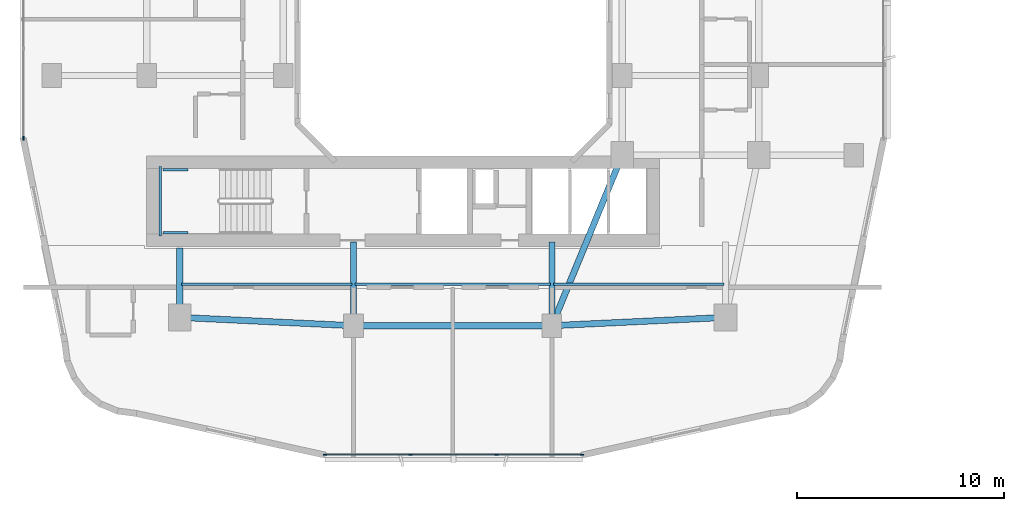
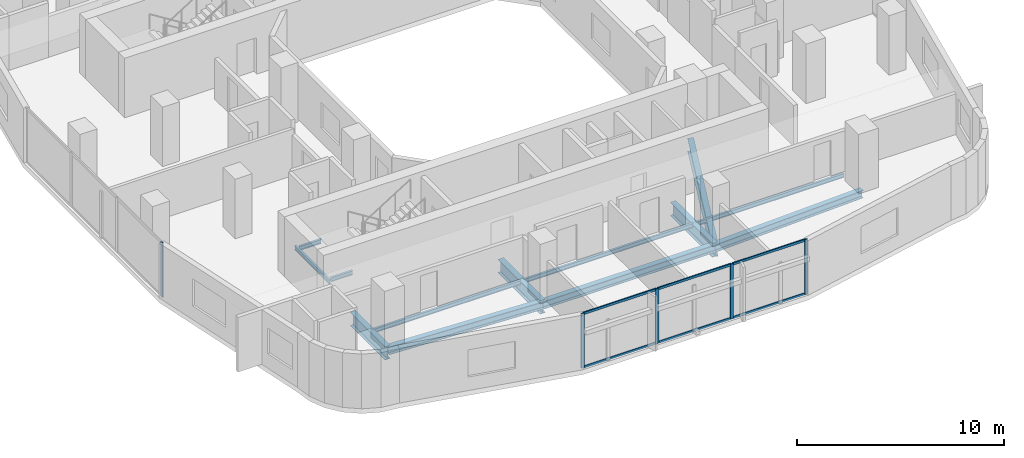
# One storey, part 2 of 26: 13 beams, 11 members, 2 elements without a shape of their own.
"""IFC4 building model written with IfcOpenShell, lengths in metres."""

from ifc_helpers import new_model, si_unit, derived_unit, direction, frame, origin, origin_2d, place, context, subcontext, project, spatial, rectangle, i_section, extrude, material, layer, layer_set, material_profile, profile_set, type_object, element, aggregate, save


model = new_model("IFC4")

# Units and contexts
model_context = context("Model", 3, precision=1e-05, world=origin(), true_north=direction((0.0, 1.0)))
body_context = subcontext(model_context, "Body", "Model", "MODEL_VIEW")
ifc_project = project(units=[si_unit("LENGTHUNIT", "METRE"), si_unit("AREAUNIT", "SQUARE_METRE"), si_unit("VOLUMEUNIT", "CUBIC_METRE"), si_unit("PLANEANGLEUNIT", "RADIAN"), si_unit("MASSUNIT", "GRAM", prefix="KILO"), derived_unit("THERMALTRANSMITTANCEUNIT", [(si_unit("POWERUNIT", "WATT"), 1), (si_unit("LENGTHUNIT", "METRE"), -2), (si_unit("THERMODYNAMICTEMPERATUREUNIT", "KELVIN"), -1)])], contexts=[model_context])

# Site, building, storey
site_placement = place(None, origin())
site = spatial("IfcSite", under=ifc_project, at=site_placement, CompositionType="ELEMENT")
building_placement = place(site_placement, origin())
building = spatial("IfcBuilding", under=site, at=building_placement, Name="Kivonza Crest Hotel", CompositionType="ELEMENT")
storey_placement = place(building_placement, frame((0.0, 0.0, 52.0)))
storey = spatial("IfcBuildingStorey", under=building, at=storey_placement, Name="L13", CompositionType="ELEMENT", Elevation=52.0)

# Beams
ifc_material_1 = material(Name="Steel S355", Category="steel")
ifc_material_profile_1 = material_profile(ifc_material_1, i_section(OverallWidth=0.300048828125, OverallDepth=0.449951171875, WebThickness=0.013916015625, FlangeThickness=0.02587890625, FilletRadius=0.027099609375, at=origin_2d()), Name="HEB 450")
ifc_profile_set_1 = profile_set([ifc_material_profile_1], Name="Steel S355")
beam_type_1 = type_object("IfcBeamType", Name="BM-HEB450", PredefinedType="SPANDREL", material=ifc_profile_set_1)
beam_1_placement = place(storey_placement, frame((16.199951171875, 9.39990234375, -0.5048828125), z_axis=(1.0, 0.0, 0.0), x_axis=(0.0, 1.0, 0.0)))
element("IfcBeam", 1, at=beam_1_placement, inside=storey, type_object=beam_type_1, Name="Tower T1 L13 perimeter spandrel S1-S2", PredefinedType="SPANDREL", context=body_context, shape_type="SweptSolid", body=[
    extrude(i_section(OverallWidth=0.300048828125, OverallDepth=0.449951171875, WebThickness=0.013916015625, FlangeThickness=0.02587890625, FilletRadius=0.027099609375, at=origin_2d()), origin(), (0.0, 0.0, 1.0), 9.60009765625),
])
for number, where, z_axis, x_axis, name in (
    (2, (25.800048828125, 9.39990234375, -0.5048828125), (0.998867283688, 0.047583080799, 0.0), (-0.047583080799, 0.998867283688, 0.0), "Tower T1 L13 perimeter spandrel S2-SE"),
    (3, (7.800048828125, 9.800048828125, -0.5048828125), (0.998867283688, -0.047583080799, 0.0), (0.047583080799, 0.998867283688, 0.0), "Tower T1 L13 perimeter spandrel SW-S1"),
):
    element("IfcBeam", number, at=place(storey_placement, frame(where, z_axis=z_axis, x_axis=x_axis)), inside=storey, type_object=beam_type_1, Name=name, PredefinedType="SPANDREL", context=body_context, shape_type="SweptSolid", body=[
        extrude(i_section(OverallWidth=0.300048828125, OverallDepth=0.449951171875, WebThickness=0.013916015625, FlangeThickness=0.02587890625, FilletRadius=0.027099609375, at=origin_2d()), origin(), (0.0, 0.0, 1.0), 8.409423828125),
    ])
ifc_material_profile_2 = material_profile(ifc_material_1, i_section(OverallWidth=0.300048828125, OverallDepth=0.800048828125, WebThickness=0.017578125, FlangeThickness=0.032958984375, FilletRadius=0.030029296875, at=origin_2d()), Name="HEB 800")
ifc_profile_set_2 = profile_set([ifc_material_profile_2], Name="Steel S355")
beam_type_2 = type_object("IfcBeamType", Name="BM-HEB800", PredefinedType="BEAM", material=ifc_profile_set_2)
beam_2_placement = place(storey_placement, frame((25.800048828125, 9.39990234375, -0.679931640625), z_axis=(0.381022260404, 0.924565864109, 0.0), x_axis=(-0.924565864109, 0.381022260404, 0.0)))
element("IfcBeam", 4, at=beam_2_placement, inside=storey, type_object=beam_type_2, Name="Tower T1 L13 primary girder S1-TSE", PredefinedType="BEAM", context=body_context, shape_type="SweptSolid", body=[
    extrude(i_section(OverallWidth=0.300048828125, OverallDepth=0.800048828125, WebThickness=0.017578125, FlangeThickness=0.032958984375, FilletRadius=0.030029296875, at=origin_2d()), origin(), (0.0, 0.0, 1.0), 8.923095703125),
])
beam_3_placement = place(storey_placement, frame((7.800048828125, 9.800048828125, -0.679931640625), z_axis=(0.0, 1.0, 0.0), x_axis=(-1.0, 0.0, 0.0)))
element("IfcBeam", 5, at=beam_3_placement, inside=storey, type_object=beam_type_2, Name="Tower T1 L13 radial core girder RSW", PredefinedType="BEAM", context=body_context, shape_type="SweptSolid", body=[
    extrude(i_section(OverallWidth=0.300048828125, OverallDepth=0.800048828125, WebThickness=0.017578125, FlangeThickness=0.032958984375, FilletRadius=0.030029296875, at=origin_2d()), origin(), (0.0, 0.0, 1.0), 3.349853515625),
])
for number, where, z_axis, x_axis, name in (
    (6, (16.199951171875, 9.39990234375, -0.679931640625), (0.0, 1.0, 0.0), (-1.0, 0.0, 0.0), "Tower T1 L13 radial core girder RS1"),
    (7, (25.800048828125, 9.39990234375, -0.679931640625), (0.0, 1.0, 0.0), (-1.0, 0.0, 0.0), "Tower T1 L13 radial core girder RS2"),
):
    element("IfcBeam", number, at=place(storey_placement, frame(where, z_axis=z_axis, x_axis=x_axis)), inside=storey, type_object=beam_type_2, Name=name, PredefinedType="BEAM", context=body_context, shape_type="SweptSolid", body=[
        extrude(i_section(OverallWidth=0.300048828125, OverallDepth=0.800048828125, WebThickness=0.017578125, FlangeThickness=0.032958984375, FilletRadius=0.030029296875, at=origin_2d()), origin(), (0.0, 0.0, 1.0), 4.050048828125),
    ])
ifc_material_profile_3 = material_profile(ifc_material_1, i_section(OverallWidth=0.1201171875, OverallDepth=0.239990234375, WebThickness=0.006103515625, FlangeThickness=0.009765625, FilletRadius=0.014892578125, at=origin_2d()), Name="IPE 240")
ifc_profile_set_3 = profile_set([ifc_material_profile_3], Name="Steel S355")
beam_type_3 = type_object("IfcBeamType", Name="BM-IPE240", PredefinedType="JOIST", material=ifc_profile_set_3)
beam_4_placement = place(storey_placement, frame((7.8798828125, 11.39990234375, -0.39990234375), z_axis=(1.0, 0.0, 0.0), x_axis=(0.0, 1.0, 0.0)))
element("IfcBeam", 8, at=beam_4_placement, inside=storey, type_object=beam_type_3, Name="Tower T1 L13 South-West floor joist", PredefinedType="JOIST", context=body_context, shape_type="SweptSolid", body=[
    extrude(i_section(OverallWidth=0.1201171875, OverallDepth=0.239990234375, WebThickness=0.006103515625, FlangeThickness=0.009765625, FilletRadius=0.014892578125, at=origin_2d()), origin(), (0.0, 0.0, 1.0), 8.240234375),
])
beam_5_placement = place(storey_placement, frame((16.280029296875, 11.39990234375, -0.39990234375), z_axis=(1.0, 0.0, 0.0), x_axis=(0.0, 1.0, 0.0)))
element("IfcBeam", 9, at=beam_5_placement, inside=storey, type_object=beam_type_3, Name="Tower T1 L13 South-Mid floor joist", PredefinedType="JOIST", context=body_context, shape_type="SweptSolid", body=[
    extrude(i_section(OverallWidth=0.1201171875, OverallDepth=0.239990234375, WebThickness=0.006103515625, FlangeThickness=0.009765625, FilletRadius=0.014892578125, at=origin_2d()), origin(), (0.0, 0.0, 1.0), 9.43994140625),
])
beam_6_placement = place(storey_placement, frame((25.8798828125, 11.39990234375, -0.39990234375), z_axis=(1.0, 0.0, 0.0), x_axis=(0.0, 1.0, 0.0)))
element("IfcBeam", 10, at=beam_6_placement, inside=storey, type_object=beam_type_3, Name="Tower T1 L13 South-East floor joist", PredefinedType="JOIST", context=body_context, shape_type="SweptSolid", body=[
    extrude(i_section(OverallWidth=0.1201171875, OverallDepth=0.239990234375, WebThickness=0.006103515625, FlangeThickness=0.009765625, FilletRadius=0.014892578125, at=origin_2d()), origin(), (0.0, 0.0, 1.0), 8.240234375),
])
ifc_material_profile_4 = material_profile(ifc_material_1, i_section(OverallWidth=0.1201171875, OverallDepth=0.239990234375, WebThickness=0.006103515625, FlangeThickness=0.009765625, FilletRadius=0.014892578125, at=origin_2d()), Name="IPE 240")
ifc_profile_set_4 = profile_set([ifc_material_profile_4], Name="Steel S355")
beam_type_4 = type_object("IfcBeamType", Name="BM-LLDG-240", PredefinedType="BEAM", material=ifc_profile_set_4)
beam_7_placement = place(storey_placement, frame((6.860107421875, 13.739990234375, 1.429931640625), z_axis=(0.0, 1.0, 0.0), x_axis=(-1.0, 0.0, 0.0)))
element("IfcBeam", 11, at=beam_7_placement, inside=storey, type_object=beam_type_4, Name="Stair ST-T1-S L13 West landing corbel", PredefinedType="BEAM", context=body_context, shape_type="SweptSolid", body=[
    extrude(i_section(OverallWidth=0.1201171875, OverallDepth=0.239990234375, WebThickness=0.006103515625, FlangeThickness=0.009765625, FilletRadius=0.014892578125, at=origin_2d()), origin(), (0.0, 0.0, 1.0), 3.360107421875),
])
for number, where, z_axis, x_axis, name in (
    (12, (6.989990234375, 13.89990234375, 1.429931640625), (1.0, 0.0, 0.0), (0.0, 1.0, 0.0), "Stair ST-T1-S L13 South landing corbel"),
    (13, (6.989990234375, 16.93994140625, 1.429931640625), (1.0, 0.0, 0.0), (0.0, 1.0, 0.0), "Stair ST-T1-S L13 North landing corbel"),
):
    element("IfcBeam", number, at=place(storey_placement, frame(where, z_axis=z_axis, x_axis=x_axis)), inside=storey, type_object=beam_type_4, Name=name, PredefinedType="BEAM", context=body_context, shape_type="SweptSolid", body=[
        extrude(i_section(OverallWidth=0.1201171875, OverallDepth=0.239990234375, WebThickness=0.006103515625, FlangeThickness=0.009765625, FilletRadius=0.014892578125, at=origin_2d()), origin(), (0.0, 0.0, 1.0), 1.2099609375),
    ])

# Curtain wall, members
ifc_material_2 = material(Name="Anodised bronze aluminium and low-E double glazing", Category="aluminium")
ifc_layer = layer(ifc_material_2, 0.179931640625)
ifc_layer_set = layer_set([ifc_layer], Name="Anodised bronze aluminium and low-E double glazing")
curtain_wall_type = type_object("IfcCurtainWallType", Name="CW-SYS-2", PredefinedType="NOTDEFINED", material=ifc_layer_set)
curtain_wall_1_placement = place(storey_placement, origin())
curtain_wall_1 = element("IfcCurtainWall", 14, at=curtain_wall_1_placement, inside=storey, type_object=curtain_wall_type, Name="L13 unitised curtain wall CW-T1-L13-08", PredefinedType="NOTDEFINED")
ifc_material_3 = material(Name="Anodised bronze aluminium", Category="aluminium")
ifc_material_profile_5 = material_profile(ifc_material_3, rectangle(XDim=0.06494140625, YDim=0.179931640625, at=origin_2d()), Name="CW-M 65x180")
ifc_profile_set_5 = profile_set([ifc_material_profile_5], Name="Anodised bronze aluminium")
member_type_1 = type_object("IfcMemberType", Name="CW-MUL-65x180", PredefinedType="MULLION", material=ifc_profile_set_5)
member_1_placement = place(storey_placement, frame((14.824462890625, 3.159912109375, 0.0), z_axis=(0.0, 0.0, 1.0), x_axis=(0.0, 1.0, 0.0)))
member_1 = element("IfcMember", 15, at=member_1_placement, type_object=member_type_1, Name="CW-2 mullion 1", PredefinedType="MULLION", context=body_context, shape_type="SweptSolid", body=[
    extrude(rectangle(XDim=0.06494140625, YDim=0.179931640625, at=origin_2d()), origin(), (0.0, 0.0, 1.0), 3.219970703125),
])
member_2_placement = place(storey_placement, frame((18.957275390625, 3.159912109375, 0.0), z_axis=(0.0, 0.0, 1.0), x_axis=(0.0, 1.0, 0.0)))
member_2 = element("IfcMember", 16, at=member_2_placement, type_object=member_type_1, Name="CW-2 mullion 2", PredefinedType="MULLION", context=body_context, shape_type="SweptSolid", body=[
    extrude(rectangle(XDim=0.06494140625, YDim=0.179931640625, at=origin_2d()), origin(), (0.0, 0.0, 1.0), 3.219970703125),
])
member_3_placement = place(storey_placement, frame((23.12255859375, 3.159912109375, 0.0), z_axis=(0.0, 0.0, 1.0), x_axis=(0.0, 1.0, 0.0)))
member_3 = element("IfcMember", 17, at=member_3_placement, type_object=member_type_1, Name="CW-2 mullion 3", PredefinedType="MULLION", context=body_context, shape_type="SweptSolid", body=[
    extrude(rectangle(XDim=0.06494140625, YDim=0.179931640625, at=origin_2d()), origin(), (0.0, 0.0, 1.0), 3.219970703125),
])
member_4_placement = place(storey_placement, frame((27.255615234375, 3.159912109375, 0.0), z_axis=(0.0, 0.0, 1.0), x_axis=(0.0, 1.0, 0.0)))
member_4 = element("IfcMember", 18, at=member_4_placement, type_object=member_type_1, Name="CW-2 mullion 4", PredefinedType="MULLION", context=body_context, shape_type="SweptSolid", body=[
    extrude(rectangle(XDim=0.06494140625, YDim=0.179931640625, at=origin_2d()), origin(), (0.0, 0.0, 1.0), 3.219970703125),
])

# Curtain wall, member
curtain_wall_2_placement = place(storey_placement, origin())
curtain_wall_2 = element("IfcCurtainWall", 19, at=curtain_wall_2_placement, inside=storey, type_object=curtain_wall_type, Name="L13 unitised curtain wall CW-T1-L13-35", PredefinedType="NOTDEFINED")
member_5_placement = place(storey_placement, frame((0.239990234375, 18.472412109375, 0.0), z_axis=(0.0, 0.0, 1.0), x_axis=(1.0, 0.0, 0.0)))
member_5 = element("IfcMember", 20, at=member_5_placement, type_object=member_type_1, Name="CW-2 mullion 4", PredefinedType="MULLION", context=body_context, shape_type="SweptSolid", body=[
    extrude(rectangle(XDim=0.06494140625, YDim=0.179931640625, at=origin_2d()), origin(), (0.0, 0.0, 1.0), 3.219970703125),
])
aggregate(curtain_wall_2, [member_5])

# Member
ifc_material_profile_6 = material_profile(ifc_material_3, rectangle(XDim=0.06494140625, YDim=0.139892578125, at=origin_2d()), Name="CW-T 65x140")
ifc_profile_set_6 = profile_set([ifc_material_profile_6], Name="Anodised bronze aluminium")
member_type_2 = type_object("IfcMemberType", Name="CW-TRN-65x140", PredefinedType="USERDEFINED", material=ifc_profile_set_6)
member_6_placement = place(storey_placement, frame((14.85693359375, 3.159912109375, 0.032470703125), z_axis=(1.0, 0.0, 0.0), x_axis=(0.0, 1.0, 0.0)))
member_6 = element("IfcMember", 21, at=member_6_placement, type_object=member_type_2, Name="CW-2 transom 1.1", ObjectType="TRANSOM", PredefinedType="USERDEFINED", context=body_context, shape_type="SweptSolid", body=[
    extrude(rectangle(XDim=0.06494140625, YDim=0.139892578125, at=origin_2d()), origin(), (0.0, 0.0, 1.0), 4.06787109375),
])

member_7_placement = place(storey_placement, frame((14.85693359375, 3.159912109375, 3.1875), z_axis=(1.0, 0.0, 0.0), x_axis=(0.0, 1.0, 0.0)))
member_7 = element("IfcMember", 22, at=member_7_placement, type_object=member_type_2, Name="CW-2 transom 1.2", ObjectType="TRANSOM", PredefinedType="USERDEFINED", context=body_context, shape_type="SweptSolid", body=[
    extrude(rectangle(XDim=0.06494140625, YDim=0.139892578125, at=origin_2d()), origin(), (0.0, 0.0, 1.0), 4.06787109375),
])

member_8_placement = place(storey_placement, frame((18.98974609375, 3.159912109375, 0.032470703125), z_axis=(1.0, 0.0, 0.0), x_axis=(0.0, 1.0, 0.0)))
member_8 = element("IfcMember", 23, at=member_8_placement, type_object=member_type_2, Name="CW-2 transom 2.1", ObjectType="TRANSOM", PredefinedType="USERDEFINED", context=body_context, shape_type="SweptSolid", body=[
    extrude(rectangle(XDim=0.06494140625, YDim=0.139892578125, at=origin_2d()), origin(), (0.0, 0.0, 1.0), 4.100341796875),
])

member_9_placement = place(storey_placement, frame((18.98974609375, 3.159912109375, 3.1875), z_axis=(1.0, 0.0, 0.0), x_axis=(0.0, 1.0, 0.0)))
member_9 = element("IfcMember", 24, at=member_9_placement, type_object=member_type_2, Name="CW-2 transom 2.2", ObjectType="TRANSOM", PredefinedType="USERDEFINED", context=body_context, shape_type="SweptSolid", body=[
    extrude(rectangle(XDim=0.06494140625, YDim=0.139892578125, at=origin_2d()), origin(), (0.0, 0.0, 1.0), 4.100341796875),
])

member_10_placement = place(storey_placement, frame((23.1552734375, 3.159912109375, 0.032470703125), z_axis=(1.0, 0.0, 0.0), x_axis=(0.0, 1.0, 0.0)))
member_10 = element("IfcMember", 25, at=member_10_placement, type_object=member_type_2, Name="CW-2 transom 3.1", ObjectType="TRANSOM", PredefinedType="USERDEFINED", context=body_context, shape_type="SweptSolid", body=[
    extrude(rectangle(XDim=0.06494140625, YDim=0.139892578125, at=origin_2d()), origin(), (0.0, 0.0, 1.0), 4.067626953125),
])

member_11_placement = place(storey_placement, frame((23.1552734375, 3.159912109375, 3.1875), z_axis=(1.0, 0.0, 0.0), x_axis=(0.0, 1.0, 0.0)))
member_11 = element("IfcMember", 26, at=member_11_placement, type_object=member_type_2, Name="CW-2 transom 3.2", ObjectType="TRANSOM", PredefinedType="USERDEFINED", context=body_context, shape_type="SweptSolid", body=[
    extrude(rectangle(XDim=0.06494140625, YDim=0.139892578125, at=origin_2d()), origin(), (0.0, 0.0, 1.0), 4.067626953125),
])

aggregate(curtain_wall_1, [member_1, member_2, member_3, member_4, member_6, member_7, member_8, member_9, member_10, member_11])

save(model, "model.ifc")
